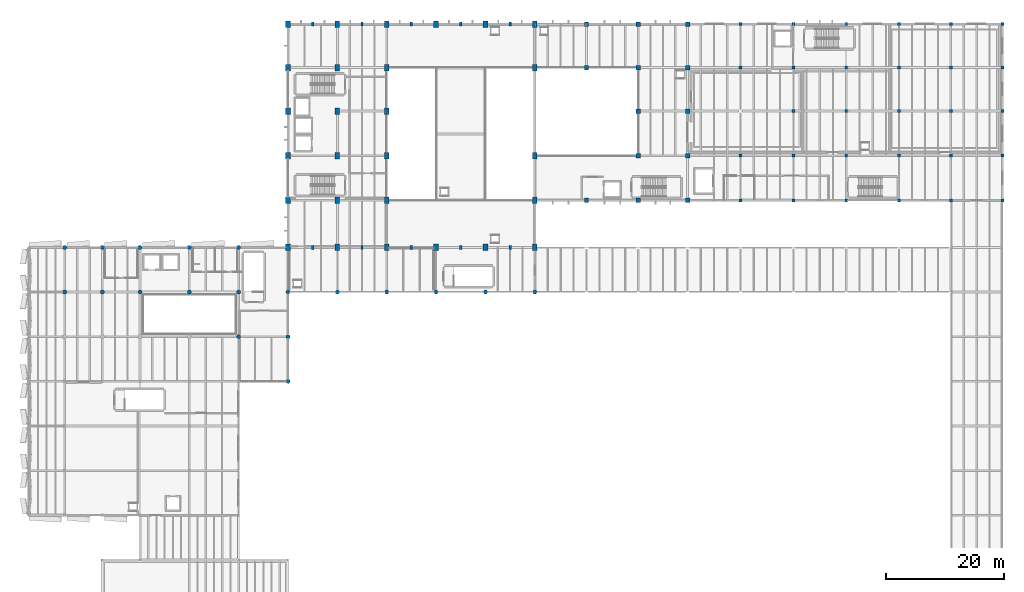
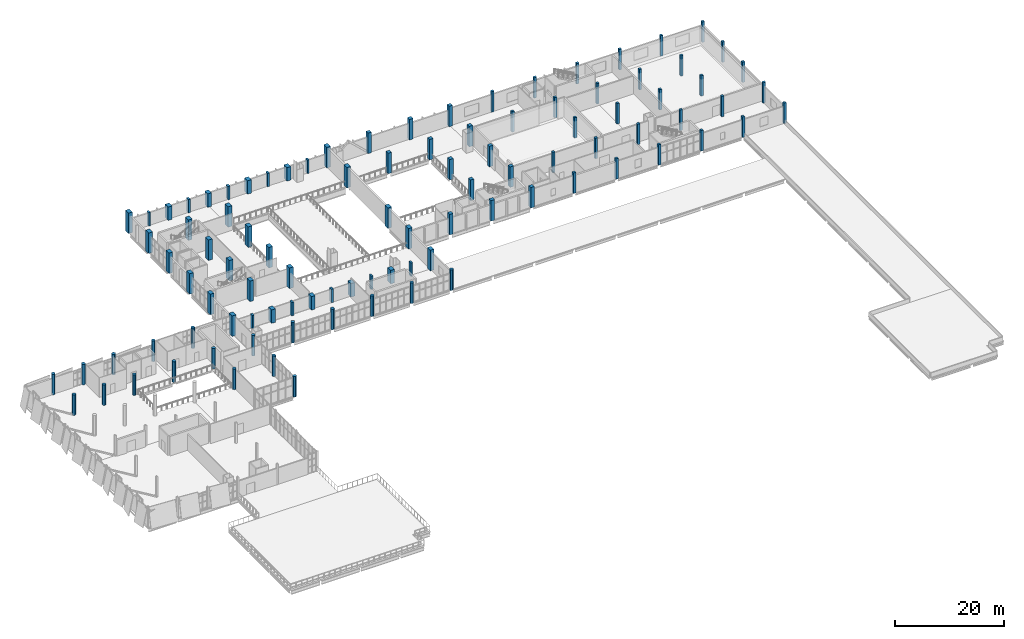
# One storey, part 2 of 74: 98 columns.
"""IFC4 building model written with IfcOpenShell, lengths in metres."""

from ifc_helpers import new_model, si_unit, direction, frame, origin, origin_2d, place, context, subcontext, project, spatial, rectangle, circle, extrude, material, material_profile, profile_set, type_object, element, save


model = new_model("IFC4")

# Units and contexts
model_context = context("Model", 3, precision=1e-05, world=origin(), true_north=direction((0.0, 1.0)))
body_context = subcontext(model_context, "Body", "Model", "MODEL_VIEW")
ifc_project = project(units=[si_unit("LENGTHUNIT", "METRE"), si_unit("AREAUNIT", "SQUARE_METRE"), si_unit("VOLUMEUNIT", "CUBIC_METRE"), si_unit("PLANEANGLEUNIT", "RADIAN"), si_unit("MASSUNIT", "GRAM", prefix="KILO")], contexts=[model_context])

# Site, building, storey
site_placement = place(None, origin())
site = spatial("IfcSite", under=ifc_project, at=site_placement, CompositionType="ELEMENT")
building_placement = place(site_placement, origin())
building = spatial("IfcBuilding", under=site, at=building_placement, Name="Shengluoqiao Park Theatre", CompositionType="ELEMENT")
storey_placement = place(building_placement, frame((0.0, 0.0, 14.60009765625)))
storey = spatial("IfcBuildingStorey", under=building, at=storey_placement, Name="L03", CompositionType="ELEMENT", Elevation=14.60009765625)

# Columns
ifc_material_1 = material(Name="Concrete C50", Category="concrete")
ifc_material_profile_1 = material_profile(ifc_material_1, rectangle(XDim=0.39990234375, YDim=0.699951171875, at=origin_2d()), Name="RC PILASTER 400x700")
ifc_profile_set_1 = profile_set([ifc_material_profile_1], Name="Concrete C50")
column_type_1 = type_object("IfcColumnType", Name="STR-COL-C-PIL4070", PredefinedType="PILASTER", material=ifc_profile_set_1)
for number, where, z_axis, x_axis, name in (
    (1, (48.60009765625, 76.0, 0.0), (0.0, 0.0, 1.0), (1.0, 0.0, 0.0), "L03 Column 0249"),
    (2, (48.60009765625, 114.0, 0.0), (0.0, 0.0, 1.0), (1.0, 0.0, 0.0), "L03 Column 0254"),
    (3, (57.0, 76.0, 0.0), (0.0, 0.0, 1.0), (1.0, 0.0, 0.0), "L03 Column 0297"),
    (4, (57.0, 114.0, 0.0), (0.0, 0.0, 1.0), (1.0, 0.0, 0.0), "L03 Column 0302"),
    (5, (65.39990234375, 76.0, 0.0), (0.0, 0.0, 1.0), (1.0, 0.0, 0.0), "L03 Column 0345"),
    (6, (65.39990234375, 114.0, 0.0), (0.0, 0.0, 1.0), (1.0, 0.0, 0.0), "L03 Column 0350"),
    (7, (73.800048828125, 76.0, 0.0), (0.0, 0.0, 1.0), (1.0, 0.0, 0.0), "L03 Column 0377"),
    (8, (73.800048828125, 114.0, 0.0), (0.0, 0.0, 1.0), (1.0, 0.0, 0.0), "L03 Column 0382"),
    (9, (82.199951171875, 76.0, 0.0), (0.0, 0.0, 1.0), (1.0, 0.0, 0.0), "L03 Column 0409"),
    (10, (82.199951171875, 114.0, 0.0), (0.0, 0.0, 1.0), (1.0, 0.0, 0.0), "L03 Column 0414"),
):
    element("IfcColumn", number, at=place(storey_placement, frame(where, z_axis=z_axis, x_axis=x_axis)), inside=storey, type_object=column_type_1, Name=name, PredefinedType="PILASTER", context=body_context, shape_type="SweptSolid", body=[
        extrude(rectangle(XDim=0.39990234375, YDim=0.699951171875, at=origin_2d()), origin(), (0.0, 0.0, 1.0), 3.02001953125),
    ])
ifc_material_2 = material(Name="Concrete C40", Category="concrete")
ifc_material_profile_2 = material_profile(ifc_material_2, rectangle(XDim=0.5, YDim=0.5, at=origin_2d()), Name="RC 500x500")
ifc_profile_set_2 = profile_set([ifc_material_profile_2], Name="Concrete C40")
column_type_2 = type_object("IfcColumnType", Name="STR-COL-C-RC500", PredefinedType="COLUMN", material=ifc_profile_set_2)
for number, where, z_axis, x_axis, name in (
    (11, (121.39990234375, 84.0, 0.0), (0.0, 0.0, 1.0), (1.0, 0.0, 0.0), "L03 Column 0597"),
    (12, (121.39990234375, 91.60009765625, 0.0), (0.0, 0.0, 1.0), (1.0, 0.0, 0.0), "L03 Column 0604"),
    (13, (121.39990234375, 106.60009765625, 0.0), (0.0, 0.0, 1.0), (1.0, 0.0, 0.0), "L03 Column 0615"),
    (14, (121.39990234375, 114.0, 0.0), (0.0, 0.0, 1.0), (1.0, 0.0, 0.0), "L03 Column 0622"),
    (15, (130.39990234375, 84.0, 0.0), (0.0, 0.0, 1.0), (1.0, 0.0, 0.0), "L03 Column 0639"),
    (16, (130.39990234375, 91.60009765625, 0.0), (0.0, 0.0, 1.0), (1.0, 0.0, 0.0), "L03 Column 0646"),
    (17, (130.39990234375, 99.199951171875, 0.0), (0.0, 0.0, 1.0), (1.0, 0.0, 0.0), "L03 Column 0653"),
    (18, (130.39990234375, 106.60009765625, 0.0), (0.0, 0.0, 1.0), (1.0, 0.0, 0.0), "L03 Column 0660"),
    (19, (130.39990234375, 114.0, 0.0), (0.0, 0.0, 1.0), (1.0, 0.0, 0.0), "L03 Column 0667"),
    (20, (139.39990234375, 84.0, 0.0), (0.0, 0.0, 1.0), (1.0, 0.0, 0.0), "L03 Column 0684"),
    (21, (139.39990234375, 91.60009765625, 0.0), (0.0, 0.0, 1.0), (1.0, 0.0, 0.0), "L03 Column 0691"),
    (22, (139.39990234375, 99.199951171875, 0.0), (0.0, 0.0, 1.0), (1.0, 0.0, 0.0), "L03 Column 0698"),
    (23, (139.39990234375, 106.60009765625, 0.0), (0.0, 0.0, 1.0), (1.0, 0.0, 0.0), "L03 Column 0705"),
    (24, (139.39990234375, 114.0, 0.0), (0.0, 0.0, 1.0), (1.0, 0.0, 0.0), "L03 Column 0712"),
    (25, (148.39990234375, 84.0, 0.0), (0.0, 0.0, 1.0), (1.0, 0.0, 0.0), "L03 Column 0741"),
    (26, (148.39990234375, 91.60009765625, 0.0), (0.0, 0.0, 1.0), (1.0, 0.0, 0.0), "L03 Column 0748"),
    (27, (148.39990234375, 99.199951171875, 0.0), (0.0, 0.0, 1.0), (1.0, 0.0, 0.0), "L03 Column 0755"),
    (28, (148.39990234375, 106.60009765625, 0.0), (0.0, 0.0, 1.0), (1.0, 0.0, 0.0), "L03 Column 0762"),
    (29, (148.39990234375, 114.0, 0.0), (0.0, 0.0, 1.0), (1.0, 0.0, 0.0), "L03 Column 0769"),
    (30, (157.199951171875, 84.0, 0.0), (0.0, 0.0, 1.0), (1.0, 0.0, 0.0), "L03 Column 0806"),
    (31, (157.199951171875, 91.60009765625, 0.0), (0.0, 0.0, 1.0), (1.0, 0.0, 0.0), "L03 Column 0812"),
    (32, (157.199951171875, 99.199951171875, 0.0), (0.0, 0.0, 1.0), (1.0, 0.0, 0.0), "L03 Column 0818"),
    (33, (157.199951171875, 106.60009765625, 0.0), (0.0, 0.0, 1.0), (1.0, 0.0, 0.0), "L03 Column 0824"),
    (34, (157.199951171875, 114.0, 0.0), (0.0, 0.0, 1.0), (1.0, 0.0, 0.0), "L03 Column 0830"),
    (35, (166.0, 84.0, 0.0), (0.0, 0.0, 1.0), (1.0, 0.0, 0.0), "L03 Column 0868"),
    (36, (166.0, 91.60009765625, 0.0), (0.0, 0.0, 1.0), (1.0, 0.0, 0.0), "L03 Column 0872"),
    (37, (166.0, 99.199951171875, 0.0), (0.0, 0.0, 1.0), (1.0, 0.0, 0.0), "L03 Column 0876"),
    (38, (166.0, 106.60009765625, 0.0), (0.0, 0.0, 1.0), (1.0, 0.0, 0.0), "L03 Column 0880"),
    (39, (166.0, 114.0, 0.0), (0.0, 0.0, 1.0), (1.0, 0.0, 0.0), "L03 Column 0884"),
):
    element("IfcColumn", number, at=place(storey_placement, frame(where, z_axis=z_axis, x_axis=x_axis)), inside=storey, type_object=column_type_2, Name=name, PredefinedType="COLUMN", context=body_context, shape_type="SweptSolid", body=[
        extrude(rectangle(XDim=0.5, YDim=0.5, at=origin_2d()), origin(), (0.0, 0.0, 1.0), 4.599853515625),
    ])
ifc_material_profile_3 = material_profile(ifc_material_1, rectangle(XDim=0.75, YDim=0.75, at=origin_2d()), Name="RC 750x750")
ifc_profile_set_3 = profile_set([ifc_material_profile_3], Name="Concrete C50")
column_type_3 = type_object("IfcColumnType", Name="STR-COL-C-RC750", PredefinedType="COLUMN", material=ifc_profile_set_3)
for number, where, z_axis, x_axis, name in (
    (40, (95.199951171875, 84.0, 0.0), (0.0, 0.0, 1.0), (1.0, 0.0, 0.0), "L03 Column 0472"),
    (41, (95.199951171875, 106.60009765625, 0.0), (0.0, 0.0, 1.0), (1.0, 0.0, 0.0), "L03 Column 0481"),
    (42, (95.199951171875, 114.0, 0.0), (0.0, 0.0, 1.0), (1.0, 0.0, 0.0), "L03 Column 0488"),
    (43, (104.0, 84.0, 0.0), (0.0, 0.0, 1.0), (1.0, 0.0, 0.0), "L03 Column 0506"),
    (44, (104.0, 91.60009765625, 0.0), (0.0, 0.0, 1.0), (1.0, 0.0, 0.0), "L03 Column 0513"),
    (45, (104.0, 99.199951171875, 0.0), (0.0, 0.0, 1.0), (1.0, 0.0, 0.0), "L03 Column 0520"),
    (46, (104.0, 106.60009765625, 0.0), (0.0, 0.0, 1.0), (1.0, 0.0, 0.0), "L03 Column 0527"),
    (47, (104.0, 114.0, 0.0), (0.0, 0.0, 1.0), (1.0, 0.0, 0.0), "L03 Column 0534"),
    (48, (112.39990234375, 84.0, 0.0), (0.0, 0.0, 1.0), (1.0, 0.0, 0.0), "L03 Column 0552"),
    (49, (112.39990234375, 91.60009765625, 0.0), (0.0, 0.0, 1.0), (1.0, 0.0, 0.0), "L03 Column 0559"),
    (50, (112.39990234375, 99.199951171875, 0.0), (0.0, 0.0, 1.0), (1.0, 0.0, 0.0), "L03 Column 0566"),
    (51, (112.39990234375, 106.60009765625, 0.0), (0.0, 0.0, 1.0), (1.0, 0.0, 0.0), "L03 Column 0573"),
    (52, (112.39990234375, 114.0, 0.0), (0.0, 0.0, 1.0), (1.0, 0.0, 0.0), "L03 Column 0580"),
):
    element("IfcColumn", number, at=place(storey_placement, frame(where, z_axis=z_axis, x_axis=x_axis)), inside=storey, type_object=column_type_3, Name=name, PredefinedType="COLUMN", context=body_context, shape_type="SweptSolid", body=[
        extrude(rectangle(XDim=0.75, YDim=0.75, at=origin_2d()), origin(), (0.0, 0.0, 1.0), 4.599853515625),
    ])
ifc_material_profile_4 = material_profile(ifc_material_1, rectangle(XDim=0.800048828125, YDim=1.10009765625, at=origin_2d()), Name="RC 800x1100")
ifc_profile_set_4 = profile_set([ifc_material_profile_4], Name="Concrete C50")
column_type_4 = type_object("IfcColumnType", Name="STR-COL-C-RC8011", PredefinedType="COLUMN", material=ifc_profile_set_4)
for number, where, z_axis, x_axis, name in (
    (53, (44.39990234375, 76.0, 0.0), (0.0, 0.0, 1.0), (1.0, 0.0, 0.0), "L03 Column 0219"),
    (54, (44.39990234375, 84.0, 0.0), (0.0, 0.0, 1.0), (1.0, 0.0, 0.0), "L03 Column 0224"),
    (55, (44.39990234375, 91.60009765625, 0.0), (0.0, 0.0, 1.0), (1.0, 0.0, 0.0), "L03 Column 0229"),
    (56, (44.39990234375, 99.199951171875, 0.0), (0.0, 0.0, 1.0), (1.0, 0.0, 0.0), "L03 Column 0234"),
    (57, (44.39990234375, 106.60009765625, 0.0), (0.0, 0.0, 1.0), (1.0, 0.0, 0.0), "L03 Column 0239"),
    (58, (44.39990234375, 114.0, 0.0), (0.0, 0.0, 1.0), (1.0, 0.0, 0.0), "L03 Column 0244"),
):
    element("IfcColumn", number, at=place(storey_placement, frame(where, z_axis=z_axis, x_axis=x_axis)), inside=storey, type_object=column_type_4, Name=name, PredefinedType="COLUMN", context=body_context, shape_type="SweptSolid", body=[
        extrude(rectangle(XDim=0.800048828125, YDim=1.10009765625, at=origin_2d()), origin(), (0.0, 0.0, 1.0), 4.599853515625),
    ])
column_placement = place(storey_placement, frame((52.800048828125, 76.0, 0.0), z_axis=(0.0, 0.0, 1.0), x_axis=(1.0, 0.0, 0.0)))
element("IfcColumn", 59, at=column_placement, inside=storey, type_object=column_type_4, Name="L03 Column 0267", PredefinedType="COLUMN", context=body_context, shape_type="SweptSolid", body=[
    extrude(rectangle(XDim=0.800048828125, YDim=1.10009765625, at=origin_2d()), origin(), (0.0, 0.0, 1.0), 3.02001953125),
])
for number, where, z_axis, x_axis, name in (
    (60, (52.800048828125, 84.0, 0.0), (0.0, 0.0, 1.0), (1.0, 0.0, 0.0), "L03 Column 0272"),
    (61, (52.800048828125, 91.60009765625, 0.0), (0.0, 0.0, 1.0), (1.0, 0.0, 0.0), "L03 Column 0277"),
    (62, (52.800048828125, 99.199951171875, 0.0), (0.0, 0.0, 1.0), (1.0, 0.0, 0.0), "L03 Column 0282"),
    (63, (52.800048828125, 106.60009765625, 0.0), (0.0, 0.0, 1.0), (1.0, 0.0, 0.0), "L03 Column 0287"),
):
    element("IfcColumn", number, at=place(storey_placement, frame(where, z_axis=z_axis, x_axis=x_axis)), inside=storey, type_object=column_type_4, Name=name, PredefinedType="COLUMN", context=body_context, shape_type="SweptSolid", body=[
        extrude(rectangle(XDim=0.800048828125, YDim=1.10009765625, at=origin_2d()), origin(), (0.0, 0.0, 1.0), 4.599853515625),
    ])
for number, where, z_axis, x_axis, name in (
    (64, (52.800048828125, 114.0, 0.0), (0.0, 0.0, 1.0), (1.0, 0.0, 0.0), "L03 Column 0292"),
    (65, (61.199951171875, 76.0, 0.0), (0.0, 0.0, 1.0), (1.0, 0.0, 0.0), "L03 Column 0315"),
):
    element("IfcColumn", number, at=place(storey_placement, frame(where, z_axis=z_axis, x_axis=x_axis)), inside=storey, type_object=column_type_4, Name=name, PredefinedType="COLUMN", context=body_context, shape_type="SweptSolid", body=[
        extrude(rectangle(XDim=0.800048828125, YDim=1.10009765625, at=origin_2d()), origin(), (0.0, 0.0, 1.0), 3.02001953125),
    ])
for number, where, z_axis, x_axis, name in (
    (66, (61.199951171875, 84.0, 0.0), (0.0, 0.0, 1.0), (1.0, 0.0, 0.0), "L03 Column 0320"),
    (67, (61.199951171875, 91.60009765625, 0.0), (0.0, 0.0, 1.0), (1.0, 0.0, 0.0), "L03 Column 0325"),
    (68, (61.199951171875, 99.199951171875, 0.0), (0.0, 0.0, 1.0), (1.0, 0.0, 0.0), "L03 Column 0330"),
    (69, (61.199951171875, 106.60009765625, 0.0), (0.0, 0.0, 1.0), (1.0, 0.0, 0.0), "L03 Column 0335"),
):
    element("IfcColumn", number, at=place(storey_placement, frame(where, z_axis=z_axis, x_axis=x_axis)), inside=storey, type_object=column_type_4, Name=name, PredefinedType="COLUMN", context=body_context, shape_type="SweptSolid", body=[
        extrude(rectangle(XDim=0.800048828125, YDim=1.10009765625, at=origin_2d()), origin(), (0.0, 0.0, 1.0), 4.599853515625),
    ])
for number, where, z_axis, x_axis, name in (
    (70, (61.199951171875, 114.0, 0.0), (0.0, 0.0, 1.0), (1.0, 0.0, 0.0), "L03 Column 0340"),
    (71, (69.60009765625, 76.0, 0.0), (0.0, 0.0, 1.0), (1.0, 0.0, 0.0), "L03 Column 0363"),
    (72, (69.60009765625, 114.0, 0.0), (0.0, 0.0, 1.0), (1.0, 0.0, 0.0), "L03 Column 0372"),
    (73, (78.0, 76.0, 0.0), (0.0, 0.0, 1.0), (1.0, 0.0, 0.0), "L03 Column 0395"),
    (74, (78.0, 114.0, 0.0), (0.0, 0.0, 1.0), (1.0, 0.0, 0.0), "L03 Column 0404"),
):
    element("IfcColumn", number, at=place(storey_placement, frame(where, z_axis=z_axis, x_axis=x_axis)), inside=storey, type_object=column_type_4, Name=name, PredefinedType="COLUMN", context=body_context, shape_type="SweptSolid", body=[
        extrude(rectangle(XDim=0.800048828125, YDim=1.10009765625, at=origin_2d()), origin(), (0.0, 0.0, 1.0), 3.02001953125),
    ])
for number, where, z_axis, x_axis, name in (
    (75, (86.39990234375, 76.0, 0.0), (0.0, 0.0, 1.0), (1.0, 0.0, 0.0), "L03 Column 0427"),
    (76, (86.39990234375, 84.0, 0.0), (0.0, 0.0, 1.0), (1.0, 0.0, 0.0), "L03 Column 0432"),
    (77, (86.39990234375, 91.60009765625, 0.0), (0.0, 0.0, 1.0), (1.0, 0.0, 0.0), "L03 Column 0439"),
    (78, (86.39990234375, 106.60009765625, 0.0), (0.0, 0.0, 1.0), (1.0, 0.0, 0.0), "L03 Column 0447"),
    (79, (86.39990234375, 114.0, 0.0), (0.0, 0.0, 1.0), (1.0, 0.0, 0.0), "L03 Column 0454"),
):
    element("IfcColumn", number, at=place(storey_placement, frame(where, z_axis=z_axis, x_axis=x_axis)), inside=storey, type_object=column_type_4, Name=name, PredefinedType="COLUMN", context=body_context, shape_type="SweptSolid", body=[
        extrude(rectangle(XDim=0.800048828125, YDim=1.10009765625, at=origin_2d()), origin(), (0.0, 0.0, 1.0), 4.599853515625),
    ])
ifc_material_profile_5 = material_profile(ifc_material_1, circle(Radius=0.35009765625, at=origin_2d()), Name="RC COL D700")
ifc_profile_set_5 = profile_set([ifc_material_profile_5], Name="Concrete C50")
column_type_5 = type_object("IfcColumnType", Name="STR-COL-C-RCD700", PredefinedType="COLUMN", material=ifc_profile_set_5)
for number, where, z_axis, x_axis, name in (
    (80, (6.39990234375, 68.39990234375, 0.0), (0.0, 0.0, 1.0), (1.0, 0.0, 0.0), "L03 Column 0024"),
    (81, (6.39990234375, 76.0, 0.0), (0.0, 0.0, 1.0), (1.0, 0.0, 0.0), "L03 Column 0028"),
    (82, (12.800048828125, 68.39990234375, 0.0), (0.0, 0.0, 1.0), (1.0, 0.0, 0.0), "L03 Column 0062"),
    (83, (12.800048828125, 76.0, 0.0), (0.0, 0.0, 1.0), (1.0, 0.0, 0.0), "L03 Column 0066"),
    (84, (19.199951171875, 68.39990234375, 0.0), (0.0, 0.0, 1.0), (1.0, 0.0, 0.0), "L03 Column 0094"),
    (85, (19.199951171875, 76.0, 0.0), (0.0, 0.0, 1.0), (1.0, 0.0, 0.0), "L03 Column 0098"),
    (86, (27.60009765625, 68.39990234375, 0.0), (0.0, 0.0, 1.0), (1.0, 0.0, 0.0), "L03 Column 0138"),
    (87, (27.60009765625, 76.0, 0.0), (0.0, 0.0, 1.0), (1.0, 0.0, 0.0), "L03 Column 0142"),
    (88, (36.0, 60.800048828125, 0.0), (0.0, 0.0, 1.0), (1.0, 0.0, 0.0), "L03 Column 0178"),
    (89, (36.0, 68.39990234375, 0.0), (0.0, 0.0, 1.0), (1.0, 0.0, 0.0), "L03 Column 0182"),
    (90, (36.0, 76.0, 0.0), (0.0, 0.0, 1.0), (1.0, 0.0, 0.0), "L03 Column 0186"),
    (91, (44.39990234375, 53.199951171875, 0.0), (0.0, 0.0, 1.0), (1.0, 0.0, 0.0), "L03 Column 0206"),
    (92, (44.39990234375, 60.800048828125, 0.0), (0.0, 0.0, 1.0), (1.0, 0.0, 0.0), "L03 Column 0210"),
    (93, (44.39990234375, 68.39990234375, 0.0), (0.0, 0.0, 1.0), (1.0, 0.0, 0.0), "L03 Column 0214"),
    (94, (52.800048828125, 68.39990234375, 0.0), (0.0, 0.0, 1.0), (1.0, 0.0, 0.0), "L03 Column 0262"),
    (95, (61.199951171875, 68.39990234375, 0.0), (0.0, 0.0, 1.0), (1.0, 0.0, 0.0), "L03 Column 0310"),
    (96, (69.60009765625, 68.39990234375, 0.0), (0.0, 0.0, 1.0), (1.0, 0.0, 0.0), "L03 Column 0358"),
    (97, (78.0, 68.39990234375, 0.0), (0.0, 0.0, 1.0), (1.0, 0.0, 0.0), "L03 Column 0390"),
    (98, (86.39990234375, 68.39990234375, 0.0), (0.0, 0.0, 1.0), (1.0, 0.0, 0.0), "L03 Column 0422"),
):
    element("IfcColumn", number, at=place(storey_placement, frame(where, z_axis=z_axis, x_axis=x_axis)), inside=storey, type_object=column_type_5, Name=name, PredefinedType="COLUMN", context=body_context, shape_type="SweptSolid", body=[
        extrude(circle(Radius=0.35009765625, at=origin_2d()), origin(), (0.0, 0.0, 1.0), 4.599853515625),
    ])

save(model, "model.ifc")
